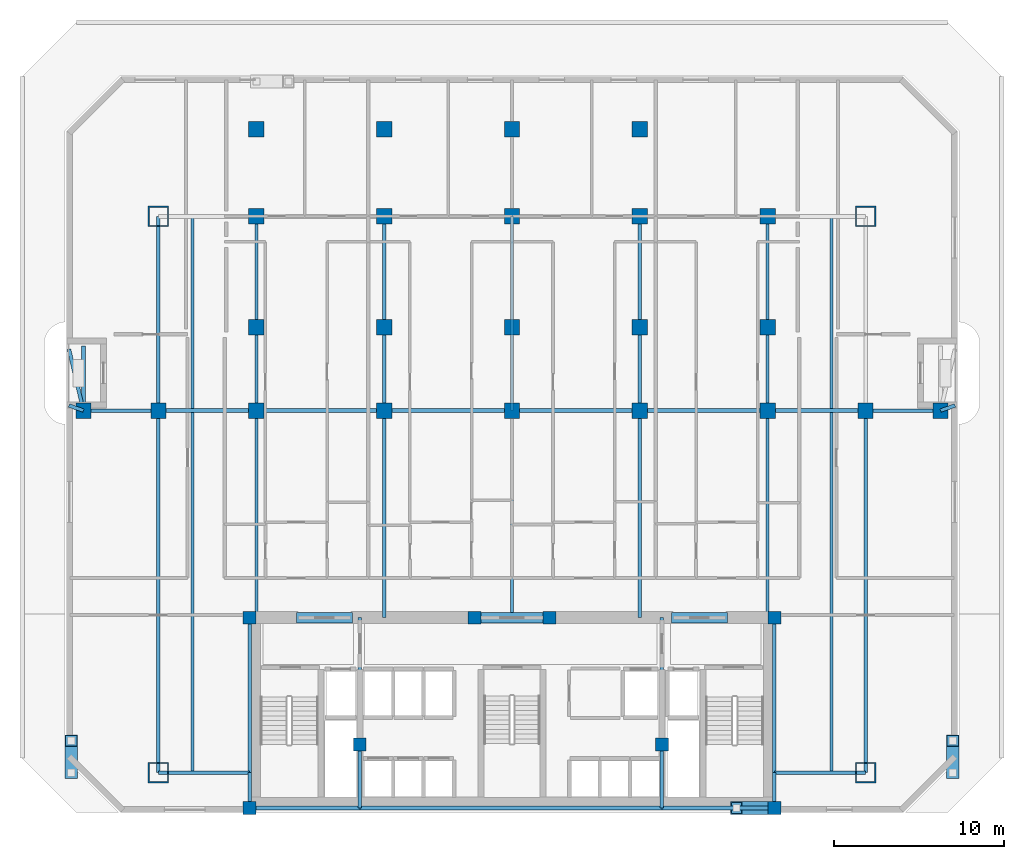
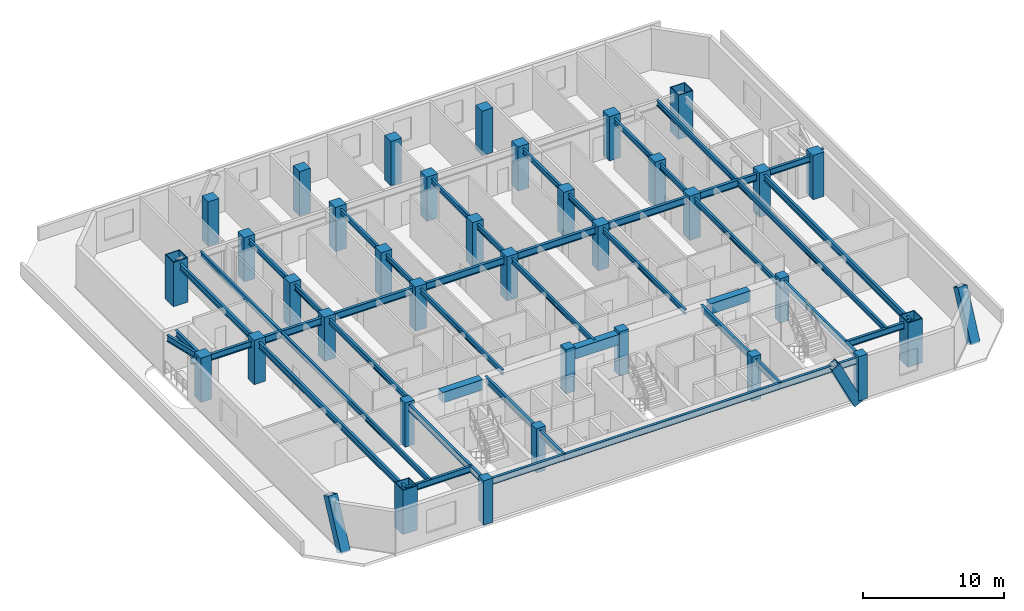
# One storey, part 1 of 10: 45 beams, 35 columns, 3 members.
"""IFC4 building model written with IfcOpenShell, lengths in metres."""

from ifc_helpers import new_model, si_unit, direction, frame, origin, origin_2d, place, context, subcontext, project, spatial, rectangle, hollow_rectangle, i_section, extrude, material, material_profile, profile_set, type_object, element, save


model = new_model("IFC4")

# Units and contexts
model_context = context("Model", 3, precision=1e-05, world=origin(), true_north=direction((0.0, 1.0)))
body_context = subcontext(model_context, "Body", "Model", "MODEL_VIEW")
ifc_project = project(units=[si_unit("LENGTHUNIT", "METRE"), si_unit("AREAUNIT", "SQUARE_METRE"), si_unit("VOLUMEUNIT", "CUBIC_METRE"), si_unit("PLANEANGLEUNIT", "RADIAN"), si_unit("MASSUNIT", "GRAM", prefix="KILO")], contexts=[model_context])

# Site, building, storey
site_placement = place(None, origin())
site = spatial("IfcSite", under=ifc_project, at=site_placement, CompositionType="ELEMENT")
building_placement = place(site_placement, origin())
building = spatial("IfcBuilding", under=site, at=building_placement, Name="Ventersveld Concourse Tower", CompositionType="ELEMENT")
storey_placement = place(building_placement, frame((0.0, 0.0, 92.60009765625)))
storey = spatial("IfcBuildingStorey", under=building, at=storey_placement, Name="L22", CompositionType="ELEMENT", Elevation=92.60009765625)

# Columns
ifc_material_1 = material(Name="Concrete C50/60", Category="concrete")
ifc_material_profile_1 = material_profile(ifc_material_1, rectangle(XDim=0.75, YDim=0.75, at=origin_2d()), Name="RC 750x750")
ifc_profile_set_1 = profile_set([ifc_material_profile_1], Name="Concrete C50/60")
column_type_1 = type_object("IfcColumnType", Name="COL-RC750", PredefinedType="COLUMN", material=ifc_profile_set_1)
for number, where, z_axis, x_axis, name in (
    (1, (13.35009765625, 0.280029296875, 0.0), (0.0, 0.0, 1.0), (1.0, 0.0, 0.0), "L22 Core Spine Column CC-SW"),
    (2, (44.14990234375, 0.280029296875, 0.0), (0.0, 0.0, 1.0), (1.0, 0.0, 0.0), "L22 Core Spine Column CC-SE"),
    (3, (13.35009765625, 11.449951171875, 0.0), (0.0, 0.0, 1.0), (1.0, 0.0, 0.0), "L22 Core Spine Column CC-NW"),
    (4, (44.14990234375, 11.449951171875, 0.0), (0.0, 0.0, 1.0), (1.0, 0.0, 0.0), "L22 Core Spine Column CC-NE"),
    (5, (19.820068359375, 4.0, 0.0), (0.0, 0.0, 1.0), (1.0, 0.0, 0.0), "L22 Core Spine Column CM-1"),
    (6, (37.550048828125, 4.0, 0.0), (0.0, 0.0, 1.0), (1.0, 0.0, 0.0), "L22 Core Spine Column CM-2"),
    (7, (26.550048828125, 11.449951171875, 0.0), (0.0, 0.0, 1.0), (1.0, 0.0, 0.0), "L22 Core Spine Column CM-3"),
    (8, (30.949951171875, 11.449951171875, 0.0), (0.0, 0.0, 1.0), (1.0, 0.0, 0.0), "L22 Core Spine Column CM-4"),
):
    element("IfcColumn", number, at=place(storey_placement, frame(where, z_axis=z_axis, x_axis=x_axis)), inside=storey, type_object=column_type_1, Name=name, PredefinedType="COLUMN", context=body_context, shape_type="SweptSolid", body=[
        extrude(rectangle(XDim=0.75, YDim=0.75, at=origin_2d()), origin(), (0.0, 0.0, 1.0), 3.849853515625),
    ])
ifc_material_2 = material(Name="Concrete C60/75", Category="concrete")
ifc_material_profile_2 = material_profile(ifc_material_2, rectangle(XDim=0.89990234375, YDim=0.89990234375, at=origin_2d()), Name="RC 900x900")
ifc_profile_set_2 = profile_set([ifc_material_profile_2], Name="Concrete C60/75")
column_type_2 = type_object("IfcColumnType", Name="COL-RC900", PredefinedType="COLUMN", material=ifc_profile_set_2)
for number, where, z_axis, x_axis, name in (
    (9, (3.60009765625, 23.60009765625, 0.0), (0.0, 0.0, 1.0), (1.0, 0.0, 0.0), "L22 Interior Gravity Column X=3.60 Y=23.60"),
    (10, (8.0, 23.60009765625, 0.0), (0.0, 0.0, 1.0), (1.0, 0.0, 0.0), "L22 Interior Gravity Column X=8.00 Y=23.60"),
    (11, (13.75, 23.60009765625, 0.0), (0.0, 0.0, 1.0), (1.0, 0.0, 0.0), "L22 Interior Gravity Column X=13.75 Y=23.60"),
    (12, (21.25, 23.60009765625, 0.0), (0.0, 0.0, 1.0), (1.0, 0.0, 0.0), "L22 Interior Gravity Column X=21.25 Y=23.60"),
    (13, (28.75, 23.60009765625, 0.0), (0.0, 0.0, 1.0), (1.0, 0.0, 0.0), "L22 Interior Gravity Column X=28.75 Y=23.60"),
    (14, (36.25, 23.60009765625, 0.0), (0.0, 0.0, 1.0), (1.0, 0.0, 0.0), "L22 Interior Gravity Column X=36.25 Y=23.60"),
    (15, (43.75, 23.60009765625, 0.0), (0.0, 0.0, 1.0), (1.0, 0.0, 0.0), "L22 Interior Gravity Column X=43.75 Y=23.60"),
    (16, (49.5, 23.60009765625, 0.0), (0.0, 0.0, 1.0), (1.0, 0.0, 0.0), "L22 Interior Gravity Column X=49.50 Y=23.60"),
    (17, (53.89990234375, 23.60009765625, 0.0), (0.0, 0.0, 1.0), (1.0, 0.0, 0.0), "L22 Interior Gravity Column X=53.90 Y=23.60"),
    (18, (13.75, 28.5, 0.0), (0.0, 0.0, 1.0), (1.0, 0.0, 0.0), "L22 Upper-North Gravity Column X=13.75 Y=28.50"),
    (19, (21.25, 28.5, 0.0), (0.0, 0.0, 1.0), (1.0, 0.0, 0.0), "L22 Upper-North Gravity Column X=21.25 Y=28.50"),
    (20, (28.75, 28.5, 0.0), (0.0, 0.0, 1.0), (1.0, 0.0, 0.0), "L22 Upper-North Gravity Column X=28.75 Y=28.50"),
    (21, (36.25, 28.5, 0.0), (0.0, 0.0, 1.0), (1.0, 0.0, 0.0), "L22 Upper-North Gravity Column X=36.25 Y=28.50"),
    (22, (43.75, 28.5, 0.0), (0.0, 0.0, 1.0), (1.0, 0.0, 0.0), "L22 Upper-North Gravity Column X=43.75 Y=28.50"),
    (23, (13.75, 40.1201171875, 0.0), (0.0, 0.0, 1.0), (1.0, 0.0, 0.0), "L22 North Brace Node Column X=13.75 Y=40.12"),
    (24, (21.25, 40.1201171875, 0.0), (0.0, 0.0, 1.0), (1.0, 0.0, 0.0), "L22 North Brace Node Column X=21.25 Y=40.12"),
    (25, (28.75, 40.1201171875, 0.0), (0.0, 0.0, 1.0), (1.0, 0.0, 0.0), "L22 North Brace Node Column X=28.75 Y=40.12"),
    (26, (36.25, 40.1201171875, 0.0), (0.0, 0.0, 1.0), (1.0, 0.0, 0.0), "L22 North Brace Node Column X=36.25 Y=40.12"),
    (27, (13.75, 35.0, 0.0), (0.0, 0.0, 1.0), (1.0, 0.0, 0.0), "L22 Mid-North Column X=13.75 Y=35.00"),
    (28, (21.25, 35.0, 0.0), (0.0, 0.0, 1.0), (1.0, 0.0, 0.0), "L22 Mid-North Column X=21.25 Y=35.00"),
    (29, (28.75, 35.0, 0.0), (0.0, 0.0, 1.0), (1.0, 0.0, 0.0), "L22 Mid-North Column X=28.75 Y=35.00"),
    (30, (36.25, 35.0, 0.0), (0.0, 0.0, 1.0), (1.0, 0.0, 0.0), "L22 Mid-North Column X=36.25 Y=35.00"),
    (31, (43.75, 35.0, 0.0), (0.0, 0.0, 1.0), (1.0, 0.0, 0.0), "L22 Mid-North Column X=43.75 Y=35.00"),
):
    element("IfcColumn", number, at=place(storey_placement, frame(where, z_axis=z_axis, x_axis=x_axis)), inside=storey, type_object=column_type_2, Name=name, PredefinedType="COLUMN", context=body_context, shape_type="SweptSolid", body=[
        extrude(rectangle(XDim=0.89990234375, YDim=0.89990234375, at=origin_2d()), origin(), (0.0, 0.0, 1.0), 3.849853515625),
    ])
ifc_material_3 = material(Name="Structural steel S460ML", Category="steel")
ifc_material_profile_3 = material_profile(ifc_material_3, hollow_rectangle(XDim=1.199951171875, YDim=1.199951171875, WallThickness=0.070068359375, at=origin_2d()), Name="BOX 1200x1200x70")
ifc_profile_set_3 = profile_set([ifc_material_profile_3], Name="Structural steel S460ML")
column_type_3 = type_object("IfcColumnType", Name="MC-1200", PredefinedType="USERDEFINED", material=ifc_profile_set_3)
for number, where, z_axis, x_axis, name in (
    (32, (8.0, 2.35009765625, 0.0), (0.0, 0.0, 1.0), (1.0, 0.0, 0.0), "L22 Corner Mega-Column MC-SW"),
    (33, (49.5, 2.35009765625, 0.0), (0.0, 0.0, 1.0), (1.0, 0.0, 0.0), "L22 Corner Mega-Column MC-SE"),
    (34, (49.5, 35.0, 0.0), (0.0, 0.0, 1.0), (1.0, 0.0, 0.0), "L22 Corner Mega-Column MC-NE"),
    (35, (8.0, 35.0, 0.0), (0.0, 0.0, 1.0), (1.0, 0.0, 0.0), "L22 Corner Mega-Column MC-NW"),
):
    element("IfcColumn", number, at=place(storey_placement, frame(where, z_axis=z_axis, x_axis=x_axis)), inside=storey, type_object=column_type_3, Name=name, ObjectType="MEGA_COLUMN", PredefinedType="USERDEFINED", context=body_context, shape_type="SweptSolid", body=[
        extrude(hollow_rectangle(XDim=1.199951171875, YDim=1.199951171875, WallThickness=0.070068359375, at=origin_2d()), origin(), (0.0, 0.0, 1.0), 3.849853515625),
    ])

# Beams
ifc_material_4 = material(Name="Structural steel S355J2", Category="steel")
ifc_material_profile_4 = material_profile(ifc_material_4, i_section(OverallWidth=0.18994140625, OverallDepth=0.453369140625, WebThickness=0.008544921875, FlangeThickness=0.0126953125, FilletRadius=0.01025390625, at=origin_2d()), Name="UB 457x191x67")
ifc_profile_set_4 = profile_set([ifc_material_profile_4], Name="Structural steel S355J2")
beam_type_1 = type_object("IfcBeamType", Name="BM-UB457", PredefinedType="BEAM", material=ifc_profile_set_4)
beam_1_placement = place(storey_placement, frame((10.0, 2.35009765625, 3.373291015625), z_axis=(0.0, 1.0, 0.0), x_axis=(-1.0, 0.0, 0.0)))
element("IfcBeam", 36, at=beam_1_placement, inside=storey, type_object=beam_type_1, Name="L22 N-S Composite Floor Beam South X=10.00", PredefinedType="BEAM", context=body_context, shape_type="SweptSolid", body=[
    extrude(i_section(OverallWidth=0.18994140625, OverallDepth=0.453369140625, WebThickness=0.008544921875, FlangeThickness=0.0126953125, FilletRadius=0.01025390625, at=origin_2d()), origin(), (0.0, 0.0, 1.0), 21.15478515625),
])
beam_2_placement = place(storey_placement, frame((10.0, 23.695068359375, 3.373291015625), z_axis=(0.0, 1.0, 0.0), x_axis=(-1.0, 0.0, 0.0)))
element("IfcBeam", 37, at=beam_2_placement, inside=storey, type_object=beam_type_1, Name="L22 N-S Composite Floor Beam Mid X=10.00", PredefinedType="BEAM", context=body_context, shape_type="SweptSolid", body=[
    extrude(i_section(OverallWidth=0.18994140625, OverallDepth=0.453369140625, WebThickness=0.008544921875, FlangeThickness=0.0126953125, FilletRadius=0.01025390625, at=origin_2d()), origin(), (0.0, 0.0, 1.0), 11.304931640625),
])
beam_3_placement = place(storey_placement, frame((13.75, 11.449951171875, 3.373291015625), z_axis=(0.0, 1.0, 0.0), x_axis=(-1.0, 0.0, 0.0)))
element("IfcBeam", 38, at=beam_3_placement, inside=storey, type_object=beam_type_1, Name="L22 N-S Composite Floor Beam South X=13.75", PredefinedType="BEAM", context=body_context, shape_type="SweptSolid", body=[
    extrude(i_section(OverallWidth=0.18994140625, OverallDepth=0.453369140625, WebThickness=0.008544921875, FlangeThickness=0.0126953125, FilletRadius=0.01025390625, at=origin_2d()), origin(), (0.0, 0.0, 1.0), 12.150146484375),
])
beam_4_placement = place(storey_placement, frame((13.75, 23.60009765625, 3.373291015625), z_axis=(0.0, 1.0, 0.0), x_axis=(-1.0, 0.0, 0.0)))
element("IfcBeam", 39, at=beam_4_placement, inside=storey, type_object=beam_type_1, Name="L22 N-S Composite Floor Beam Mid X=13.75", PredefinedType="BEAM", context=body_context, shape_type="SweptSolid", body=[
    extrude(i_section(OverallWidth=0.18994140625, OverallDepth=0.453369140625, WebThickness=0.008544921875, FlangeThickness=0.0126953125, FilletRadius=0.01025390625, at=origin_2d()), origin(), (0.0, 0.0, 1.0), 11.39990234375),
])
beam_5_placement = place(storey_placement, frame((21.25, 11.449951171875, 3.373291015625), z_axis=(0.0, 1.0, 0.0), x_axis=(-1.0, 0.0, 0.0)))
element("IfcBeam", 40, at=beam_5_placement, inside=storey, type_object=beam_type_1, Name="L22 N-S Composite Floor Beam South X=21.25", PredefinedType="BEAM", context=body_context, shape_type="SweptSolid", body=[
    extrude(i_section(OverallWidth=0.18994140625, OverallDepth=0.453369140625, WebThickness=0.008544921875, FlangeThickness=0.0126953125, FilletRadius=0.01025390625, at=origin_2d()), origin(), (0.0, 0.0, 1.0), 12.150146484375),
])
beam_6_placement = place(storey_placement, frame((21.25, 23.60009765625, 3.373291015625), z_axis=(0.0, 1.0, 0.0), x_axis=(-1.0, 0.0, 0.0)))
element("IfcBeam", 41, at=beam_6_placement, inside=storey, type_object=beam_type_1, Name="L22 N-S Composite Floor Beam Mid X=21.25", PredefinedType="BEAM", context=body_context, shape_type="SweptSolid", body=[
    extrude(i_section(OverallWidth=0.18994140625, OverallDepth=0.453369140625, WebThickness=0.008544921875, FlangeThickness=0.0126953125, FilletRadius=0.01025390625, at=origin_2d()), origin(), (0.0, 0.0, 1.0), 11.39990234375),
])
beam_7_placement = place(storey_placement, frame((28.75, 11.449951171875, 3.373291015625), z_axis=(0.0, 1.0, 0.0), x_axis=(-1.0, 0.0, 0.0)))
element("IfcBeam", 42, at=beam_7_placement, inside=storey, type_object=beam_type_1, Name="L22 N-S Composite Floor Beam South X=28.75", PredefinedType="BEAM", context=body_context, shape_type="SweptSolid", body=[
    extrude(i_section(OverallWidth=0.18994140625, OverallDepth=0.453369140625, WebThickness=0.008544921875, FlangeThickness=0.0126953125, FilletRadius=0.01025390625, at=origin_2d()), origin(), (0.0, 0.0, 1.0), 12.150146484375),
])
beam_8_placement = place(storey_placement, frame((28.75, 23.60009765625, 3.373291015625), z_axis=(0.0, 1.0, 0.0), x_axis=(-1.0, 0.0, 0.0)))
element("IfcBeam", 43, at=beam_8_placement, inside=storey, type_object=beam_type_1, Name="L22 N-S Composite Floor Beam Mid X=28.75", PredefinedType="BEAM", context=body_context, shape_type="SweptSolid", body=[
    extrude(i_section(OverallWidth=0.18994140625, OverallDepth=0.453369140625, WebThickness=0.008544921875, FlangeThickness=0.0126953125, FilletRadius=0.01025390625, at=origin_2d()), origin(), (0.0, 0.0, 1.0), 11.39990234375),
])
beam_9_placement = place(storey_placement, frame((36.25, 11.449951171875, 3.373291015625), z_axis=(0.0, 1.0, 0.0), x_axis=(-1.0, 0.0, 0.0)))
element("IfcBeam", 44, at=beam_9_placement, inside=storey, type_object=beam_type_1, Name="L22 N-S Composite Floor Beam South X=36.25", PredefinedType="BEAM", context=body_context, shape_type="SweptSolid", body=[
    extrude(i_section(OverallWidth=0.18994140625, OverallDepth=0.453369140625, WebThickness=0.008544921875, FlangeThickness=0.0126953125, FilletRadius=0.01025390625, at=origin_2d()), origin(), (0.0, 0.0, 1.0), 12.150146484375),
])
beam_10_placement = place(storey_placement, frame((36.25, 23.60009765625, 3.373291015625), z_axis=(0.0, 1.0, 0.0), x_axis=(-1.0, 0.0, 0.0)))
element("IfcBeam", 45, at=beam_10_placement, inside=storey, type_object=beam_type_1, Name="L22 N-S Composite Floor Beam Mid X=36.25", PredefinedType="BEAM", context=body_context, shape_type="SweptSolid", body=[
    extrude(i_section(OverallWidth=0.18994140625, OverallDepth=0.453369140625, WebThickness=0.008544921875, FlangeThickness=0.0126953125, FilletRadius=0.01025390625, at=origin_2d()), origin(), (0.0, 0.0, 1.0), 11.39990234375),
])
beam_11_placement = place(storey_placement, frame((43.75, 11.449951171875, 3.373291015625), z_axis=(0.0, 1.0, 0.0), x_axis=(-1.0, 0.0, 0.0)))
element("IfcBeam", 46, at=beam_11_placement, inside=storey, type_object=beam_type_1, Name="L22 N-S Composite Floor Beam South X=43.75", PredefinedType="BEAM", context=body_context, shape_type="SweptSolid", body=[
    extrude(i_section(OverallWidth=0.18994140625, OverallDepth=0.453369140625, WebThickness=0.008544921875, FlangeThickness=0.0126953125, FilletRadius=0.01025390625, at=origin_2d()), origin(), (0.0, 0.0, 1.0), 12.150146484375),
])
beam_12_placement = place(storey_placement, frame((43.75, 23.60009765625, 3.373291015625), z_axis=(0.0, 1.0, 0.0), x_axis=(-1.0, 0.0, 0.0)))
element("IfcBeam", 47, at=beam_12_placement, inside=storey, type_object=beam_type_1, Name="L22 N-S Composite Floor Beam Mid X=43.75", PredefinedType="BEAM", context=body_context, shape_type="SweptSolid", body=[
    extrude(i_section(OverallWidth=0.18994140625, OverallDepth=0.453369140625, WebThickness=0.008544921875, FlangeThickness=0.0126953125, FilletRadius=0.01025390625, at=origin_2d()), origin(), (0.0, 0.0, 1.0), 11.39990234375),
])
beam_13_placement = place(storey_placement, frame((47.5, 2.35009765625, 3.373291015625), z_axis=(0.0, 1.0, 0.0), x_axis=(-1.0, 0.0, 0.0)))
element("IfcBeam", 48, at=beam_13_placement, inside=storey, type_object=beam_type_1, Name="L22 N-S Composite Floor Beam South X=47.50", PredefinedType="BEAM", context=body_context, shape_type="SweptSolid", body=[
    extrude(i_section(OverallWidth=0.18994140625, OverallDepth=0.453369140625, WebThickness=0.008544921875, FlangeThickness=0.0126953125, FilletRadius=0.01025390625, at=origin_2d()), origin(), (0.0, 0.0, 1.0), 21.15478515625),
])
beam_14_placement = place(storey_placement, frame((47.5, 23.695068359375, 3.373291015625), z_axis=(0.0, 1.0, 0.0), x_axis=(-1.0, 0.0, 0.0)))
element("IfcBeam", 49, at=beam_14_placement, inside=storey, type_object=beam_type_1, Name="L22 N-S Composite Floor Beam Mid X=47.50", PredefinedType="BEAM", context=body_context, shape_type="SweptSolid", body=[
    extrude(i_section(OverallWidth=0.18994140625, OverallDepth=0.453369140625, WebThickness=0.008544921875, FlangeThickness=0.0126953125, FilletRadius=0.01025390625, at=origin_2d()), origin(), (0.0, 0.0, 1.0), 11.304931640625),
])
ifc_material_profile_5 = material_profile(ifc_material_2, rectangle(XDim=0.60009765625, YDim=0.89990234375, at=origin_2d()), Name="RC 600x900")
ifc_profile_set_5 = profile_set([ifc_material_profile_5], Name="Concrete C60/75")
beam_type_2 = type_object("IfcBeamType", Name="CB-RC600x900L", PredefinedType="LINTEL", material=ifc_profile_set_5)
beam_15_placement = place(storey_placement, frame((16.10009765625, 11.449951171875, 3.14990234375), z_axis=(1.0, 0.0, 0.0), x_axis=(0.0, 1.0, 0.0)))
element("IfcBeam", 50, at=beam_15_placement, inside=storey, type_object=beam_type_2, Name="L22 Core Coupling Lintel Beam 1", PredefinedType="LINTEL", context=body_context, shape_type="SweptSolid", body=[
    extrude(rectangle(XDim=0.60009765625, YDim=0.89990234375, at=origin_2d()), origin(), (0.0, 0.0, 1.0), 3.2998046875),
])
beam_16_placement = place(storey_placement, frame((26.5, 11.449951171875, 3.14990234375), z_axis=(1.0, 0.0, 0.0), x_axis=(0.0, 1.0, 0.0)))
element("IfcBeam", 51, at=beam_16_placement, inside=storey, type_object=beam_type_2, Name="L22 Core Coupling Lintel Beam 2", PredefinedType="LINTEL", context=body_context, shape_type="SweptSolid", body=[
    extrude(rectangle(XDim=0.60009765625, YDim=0.89990234375, at=origin_2d()), origin(), (0.0, 0.0, 1.0), 4.5),
])
beam_17_placement = place(storey_placement, frame((38.10009765625, 11.449951171875, 3.14990234375), z_axis=(1.0, 0.0, 0.0), x_axis=(0.0, 1.0, 0.0)))
element("IfcBeam", 52, at=beam_17_placement, inside=storey, type_object=beam_type_2, Name="L22 Core Coupling Lintel Beam 3", PredefinedType="LINTEL", context=body_context, shape_type="SweptSolid", body=[
    extrude(rectangle(XDim=0.60009765625, YDim=0.89990234375, at=origin_2d()), origin(), (0.0, 0.0, 1.0), 3.2998046875),
])
ifc_material_profile_6 = material_profile(ifc_material_4, i_section(OverallWidth=0.2119140625, OverallDepth=0.54443359375, WebThickness=0.0126953125, FlangeThickness=0.021240234375, FilletRadius=0.0126953125, at=origin_2d()), Name="UB 533x210x122")
ifc_profile_set_6 = profile_set([ifc_material_profile_6], Name="Structural steel S355J2")
beam_type_3 = type_object("IfcBeamType", Name="GRD-UB533H", PredefinedType="T_BEAM", material=ifc_profile_set_6)
beam_18_placement = place(storey_placement, frame((13.35009765625, 0.280029296875, 3.32763671875), z_axis=(0.0, 1.0, 0.0), x_axis=(-1.0, 0.0, 0.0)))
element("IfcBeam", 53, at=beam_18_placement, inside=storey, type_object=beam_type_3, Name="L22 Core West Tie Beam S", PredefinedType="T_BEAM", context=body_context, shape_type="SweptSolid", body=[
    extrude(i_section(OverallWidth=0.2119140625, OverallDepth=0.54443359375, WebThickness=0.0126953125, FlangeThickness=0.021240234375, FilletRadius=0.0126953125, at=origin_2d()), origin(), (0.0, 0.0, 1.0), 2.070068359375),
])
beam_19_placement = place(storey_placement, frame((13.35009765625, 2.35009765625, 3.32763671875), z_axis=(0.0, 1.0, 0.0), x_axis=(-1.0, 0.0, 0.0)))
element("IfcBeam", 54, at=beam_19_placement, inside=storey, type_object=beam_type_3, Name="L22 Core West Tie Beam N", PredefinedType="T_BEAM", context=body_context, shape_type="SweptSolid", body=[
    extrude(i_section(OverallWidth=0.2119140625, OverallDepth=0.54443359375, WebThickness=0.0126953125, FlangeThickness=0.021240234375, FilletRadius=0.0126953125, at=origin_2d()), origin(), (0.0, 0.0, 1.0), 9.099853515625),
])
beam_20_placement = place(storey_placement, frame((44.14990234375, 0.280029296875, 3.32763671875), z_axis=(0.0, 1.0, 0.0), x_axis=(-1.0, 0.0, 0.0)))
element("IfcBeam", 55, at=beam_20_placement, inside=storey, type_object=beam_type_3, Name="L22 Core East Tie Beam S", PredefinedType="T_BEAM", context=body_context, shape_type="SweptSolid", body=[
    extrude(i_section(OverallWidth=0.2119140625, OverallDepth=0.54443359375, WebThickness=0.0126953125, FlangeThickness=0.021240234375, FilletRadius=0.0126953125, at=origin_2d()), origin(), (0.0, 0.0, 1.0), 2.070068359375),
])
beam_21_placement = place(storey_placement, frame((44.14990234375, 2.35009765625, 3.32763671875), z_axis=(0.0, 1.0, 0.0), x_axis=(-1.0, 0.0, 0.0)))
element("IfcBeam", 56, at=beam_21_placement, inside=storey, type_object=beam_type_3, Name="L22 Core East Tie Beam N", PredefinedType="T_BEAM", context=body_context, shape_type="SweptSolid", body=[
    extrude(i_section(OverallWidth=0.2119140625, OverallDepth=0.54443359375, WebThickness=0.0126953125, FlangeThickness=0.021240234375, FilletRadius=0.0126953125, at=origin_2d()), origin(), (0.0, 0.0, 1.0), 9.099853515625),
])
beam_22_placement = place(storey_placement, frame((13.35009765625, 0.280029296875, 3.32763671875), z_axis=(1.0, 0.0, 0.0), x_axis=(0.0, 1.0, 0.0)))
element("IfcBeam", 57, at=beam_22_placement, inside=storey, type_object=beam_type_3, Name="L22 Core South Tie Beam W", PredefinedType="T_BEAM", context=body_context, shape_type="SweptSolid", body=[
    extrude(i_section(OverallWidth=0.2119140625, OverallDepth=0.54443359375, WebThickness=0.0126953125, FlangeThickness=0.021240234375, FilletRadius=0.0126953125, at=origin_2d()), origin(), (0.0, 0.0, 1.0), 6.469970703125),
])
beam_23_placement = place(storey_placement, frame((19.820068359375, 0.280029296875, 3.32763671875), z_axis=(1.0, 0.0, 0.0), x_axis=(0.0, 1.0, 0.0)))
element("IfcBeam", 58, at=beam_23_placement, inside=storey, type_object=beam_type_3, Name="L22 Core South Tie Beam C", PredefinedType="T_BEAM", context=body_context, shape_type="SweptSolid", body=[
    extrude(i_section(OverallWidth=0.2119140625, OverallDepth=0.54443359375, WebThickness=0.0126953125, FlangeThickness=0.021240234375, FilletRadius=0.0126953125, at=origin_2d()), origin(), (0.0, 0.0, 1.0), 17.72998046875),
])
beam_24_placement = place(storey_placement, frame((37.550048828125, 0.280029296875, 3.32763671875), z_axis=(1.0, 0.0, 0.0), x_axis=(0.0, 1.0, 0.0)))
element("IfcBeam", 59, at=beam_24_placement, inside=storey, type_object=beam_type_3, Name="L22 Core South Tie Beam E", PredefinedType="T_BEAM", context=body_context, shape_type="SweptSolid", body=[
    extrude(i_section(OverallWidth=0.2119140625, OverallDepth=0.54443359375, WebThickness=0.0126953125, FlangeThickness=0.021240234375, FilletRadius=0.0126953125, at=origin_2d()), origin(), (0.0, 0.0, 1.0), 6.599853515625),
])
beam_25_placement = place(storey_placement, frame((19.820068359375, 0.280029296875, 3.32763671875), z_axis=(0.0, 1.0, 0.0), x_axis=(-1.0, 0.0, 0.0)))
element("IfcBeam", 60, at=beam_25_placement, inside=storey, type_object=beam_type_3, Name="L22 Core Spine N-S Tie Beam W1", PredefinedType="T_BEAM", context=body_context, shape_type="SweptSolid", body=[
    extrude(i_section(OverallWidth=0.2119140625, OverallDepth=0.54443359375, WebThickness=0.0126953125, FlangeThickness=0.021240234375, FilletRadius=0.0126953125, at=origin_2d()), origin(), (0.0, 0.0, 1.0), 3.719970703125),
])
beam_26_placement = place(storey_placement, frame((19.820068359375, 4.0, 3.32763671875), z_axis=(0.0, 1.0, 0.0), x_axis=(-1.0, 0.0, 0.0)))
element("IfcBeam", 61, at=beam_26_placement, inside=storey, type_object=beam_type_3, Name="L22 Core Spine N-S Tie Beam W2", PredefinedType="T_BEAM", context=body_context, shape_type="SweptSolid", body=[
    extrude(i_section(OverallWidth=0.2119140625, OverallDepth=0.54443359375, WebThickness=0.0126953125, FlangeThickness=0.021240234375, FilletRadius=0.0126953125, at=origin_2d()), origin(), (0.0, 0.0, 1.0), 7.449951171875),
])
beam_27_placement = place(storey_placement, frame((37.550048828125, 0.280029296875, 3.32763671875), z_axis=(0.0, 1.0, 0.0), x_axis=(-1.0, 0.0, 0.0)))
element("IfcBeam", 62, at=beam_27_placement, inside=storey, type_object=beam_type_3, Name="L22 Core Spine N-S Tie Beam E1", PredefinedType="T_BEAM", context=body_context, shape_type="SweptSolid", body=[
    extrude(i_section(OverallWidth=0.2119140625, OverallDepth=0.54443359375, WebThickness=0.0126953125, FlangeThickness=0.021240234375, FilletRadius=0.0126953125, at=origin_2d()), origin(), (0.0, 0.0, 1.0), 3.719970703125),
])
beam_28_placement = place(storey_placement, frame((37.550048828125, 4.0, 3.32763671875), z_axis=(0.0, 1.0, 0.0), x_axis=(-1.0, 0.0, 0.0)))
element("IfcBeam", 63, at=beam_28_placement, inside=storey, type_object=beam_type_3, Name="L22 Core Spine N-S Tie Beam E2", PredefinedType="T_BEAM", context=body_context, shape_type="SweptSolid", body=[
    extrude(i_section(OverallWidth=0.2119140625, OverallDepth=0.54443359375, WebThickness=0.0126953125, FlangeThickness=0.021240234375, FilletRadius=0.0126953125, at=origin_2d()), origin(), (0.0, 0.0, 1.0), 7.449951171875),
])
ifc_material_profile_7 = material_profile(ifc_material_4, i_section(OverallWidth=0.230224609375, OverallDepth=0.6171875, WebThickness=0.01318359375, FlangeThickness=0.022216796875, FilletRadius=0.0126953125, at=origin_2d()), Name="UB 610x229x140")
ifc_profile_set_7 = profile_set([ifc_material_profile_7], Name="Structural steel S355J2")
beam_type_4 = type_object("IfcBeamType", Name="GRD-UB610", PredefinedType="USERDEFINED", material=ifc_profile_set_7)
beam_29_placement = place(storey_placement, frame((8.0, 23.60009765625, 3.291259765625), z_axis=(1.0, 0.0, 0.0), x_axis=(0.0, 1.0, 0.0)))
element("IfcBeam", 64, at=beam_29_placement, inside=storey, type_object=beam_type_4, Name="L22 Primary E-W Grid Girder Y=23.60 #1", ObjectType="GIRDER", PredefinedType="USERDEFINED", context=body_context, shape_type="SweptSolid", body=[
    extrude(i_section(OverallWidth=0.230224609375, OverallDepth=0.6171875, WebThickness=0.01318359375, FlangeThickness=0.022216796875, FilletRadius=0.0126953125, at=origin_2d()), origin(), (0.0, 0.0, 1.0), 5.75),
])
for number, where, z_axis, x_axis, name in (
    (65, (13.75, 23.60009765625, 3.291259765625), (1.0, 0.0, 0.0), (0.0, 1.0, 0.0), "L22 Primary E-W Grid Girder Y=23.60 #2"),
    (66, (21.25, 23.60009765625, 3.291259765625), (1.0, 0.0, 0.0), (0.0, 1.0, 0.0), "L22 Primary E-W Grid Girder Y=23.60 #3"),
    (67, (28.75, 23.60009765625, 3.291259765625), (1.0, 0.0, 0.0), (0.0, 1.0, 0.0), "L22 Primary E-W Grid Girder Y=23.60 #4"),
    (68, (36.25, 23.60009765625, 3.291259765625), (1.0, 0.0, 0.0), (0.0, 1.0, 0.0), "L22 Primary E-W Grid Girder Y=23.60 #5"),
):
    element("IfcBeam", number, at=place(storey_placement, frame(where, z_axis=z_axis, x_axis=x_axis)), inside=storey, type_object=beam_type_4, Name=name, ObjectType="GIRDER", PredefinedType="USERDEFINED", context=body_context, shape_type="SweptSolid", body=[
        extrude(i_section(OverallWidth=0.230224609375, OverallDepth=0.6171875, WebThickness=0.01318359375, FlangeThickness=0.022216796875, FilletRadius=0.0126953125, at=origin_2d()), origin(), (0.0, 0.0, 1.0), 7.5),
    ])
beam_30_placement = place(storey_placement, frame((43.75, 23.60009765625, 3.291259765625), z_axis=(1.0, 0.0, 0.0), x_axis=(0.0, 1.0, 0.0)))
element("IfcBeam", 69, at=beam_30_placement, inside=storey, type_object=beam_type_4, Name="L22 Primary E-W Grid Girder Y=23.60 #6", ObjectType="GIRDER", PredefinedType="USERDEFINED", context=body_context, shape_type="SweptSolid", body=[
    extrude(i_section(OverallWidth=0.230224609375, OverallDepth=0.6171875, WebThickness=0.01318359375, FlangeThickness=0.022216796875, FilletRadius=0.0126953125, at=origin_2d()), origin(), (0.0, 0.0, 1.0), 5.75),
])

# Members
ifc_material_5 = material(Name="Structural steel S355ML", Category="steel")
ifc_material_profile_8 = material_profile(ifc_material_5, hollow_rectangle(XDim=0.75, YDim=0.75, WallThickness=0.044921875, at=origin_2d()), Name="BOX 750x750x45")
ifc_profile_set_8 = profile_set([ifc_material_profile_8], Name="Structural steel S355ML")
member_type = type_object("IfcMemberType", Name="MB-750x750", PredefinedType="BRACE", material=ifc_profile_set_8)
for number, where, z_axis, x_axis, name in (
    (70, (43.800048828125, 0.280029296875, -0.25), (-0.437861906815, 0.0, 0.899042240699), (0.0, -1.0, 0.0), "L22 Exterior Mega-Brace S (Module M05)"),
    (71, (2.8798828125, 2.35009765625, -0.25), (0.0, 0.437861906815, 0.899042240699), (-1.0, 0.0, 0.0), "L22 Exterior Mega-Brace W (Module M05)"),
    (72, (54.6201171875, 2.35009765625, -0.25), (0.0, 0.437861906815, 0.899042240699), (-1.0, 0.0, 0.0), "L22 Exterior Mega-Brace E (Module M05)"),
):
    element("IfcMember", number, at=place(storey_placement, frame(where, z_axis=z_axis, x_axis=x_axis)), inside=storey, type_object=member_type, Name=name, PredefinedType="BRACE", context=body_context, shape_type="SweptSolid", body=[
        extrude(hollow_rectangle(XDim=0.75, YDim=0.75, WallThickness=0.044921875, at=origin_2d()), origin(), (0.0, 0.0, 1.0), 4.2822265625),
    ])

# Beams
ifc_material_profile_9 = material_profile(ifc_material_4, i_section(OverallWidth=0.2119140625, OverallDepth=0.54443359375, WebThickness=0.0126953125, FlangeThickness=0.021240234375, FilletRadius=0.0126953125, at=origin_2d()), Name="UB 533x210x122")
ifc_profile_set_9 = profile_set([ifc_material_profile_9], Name="Structural steel S355J2")
beam_type_5 = type_object("IfcBeamType", Name="SPD-UB533", PredefinedType="SPANDREL", material=ifc_profile_set_9)
for number, where, z_axis, x_axis, name in (
    (73, (8.0, 2.35009765625, 3.32763671875), (1.0, 0.0, 0.0), (0.0, 1.0, 0.0), "L22 SW Spandrel Beam"),
    (74, (44.14990234375, 2.35009765625, 3.32763671875), (1.0, 0.0, 0.0), (0.0, 1.0, 0.0), "L22 SE Spandrel Beam"),
):
    element("IfcBeam", number, at=place(storey_placement, frame(where, z_axis=z_axis, x_axis=x_axis)), inside=storey, type_object=beam_type_5, Name=name, PredefinedType="SPANDREL", context=body_context, shape_type="SweptSolid", body=[
        extrude(i_section(OverallWidth=0.2119140625, OverallDepth=0.54443359375, WebThickness=0.0126953125, FlangeThickness=0.021240234375, FilletRadius=0.0126953125, at=origin_2d()), origin(), (0.0, 0.0, 1.0), 5.35009765625),
    ])
beam_31_placement = place(storey_placement, frame((8.0, 2.35009765625, 3.32763671875), z_axis=(0.0, 1.0, 0.0), x_axis=(-1.0, 0.0, 0.0)))
element("IfcBeam", 75, at=beam_31_placement, inside=storey, type_object=beam_type_5, Name="L22 West Spandrel Beam S", PredefinedType="SPANDREL", context=body_context, shape_type="SweptSolid", body=[
    extrude(i_section(OverallWidth=0.2119140625, OverallDepth=0.54443359375, WebThickness=0.0126953125, FlangeThickness=0.021240234375, FilletRadius=0.0126953125, at=origin_2d()), origin(), (0.0, 0.0, 1.0), 21.25),
])
beam_32_placement = place(storey_placement, frame((8.0, 23.60009765625, 3.32763671875), z_axis=(0.0, 1.0, 0.0), x_axis=(-1.0, 0.0, 0.0)))
element("IfcBeam", 76, at=beam_32_placement, inside=storey, type_object=beam_type_5, Name="L22 West Spandrel Beam N", PredefinedType="SPANDREL", context=body_context, shape_type="SweptSolid", body=[
    extrude(i_section(OverallWidth=0.2119140625, OverallDepth=0.54443359375, WebThickness=0.0126953125, FlangeThickness=0.021240234375, FilletRadius=0.0126953125, at=origin_2d()), origin(), (0.0, 0.0, 1.0), 11.39990234375),
])
beam_33_placement = place(storey_placement, frame((49.5, 2.35009765625, 3.32763671875), z_axis=(0.0, 1.0, 0.0), x_axis=(-1.0, 0.0, 0.0)))
element("IfcBeam", 77, at=beam_33_placement, inside=storey, type_object=beam_type_5, Name="L22 East Spandrel Beam S", PredefinedType="SPANDREL", context=body_context, shape_type="SweptSolid", body=[
    extrude(i_section(OverallWidth=0.2119140625, OverallDepth=0.54443359375, WebThickness=0.0126953125, FlangeThickness=0.021240234375, FilletRadius=0.0126953125, at=origin_2d()), origin(), (0.0, 0.0, 1.0), 21.25),
])
beam_34_placement = place(storey_placement, frame((3.60009765625, 23.60009765625, 3.32763671875), z_axis=(0.0, 1.0, 0.0), x_axis=(-1.0, 0.0, 0.0)))
element("IfcBeam", 78, at=beam_34_placement, inside=storey, type_object=beam_type_5, Name="L22 West Valley Spine Girder", PredefinedType="SPANDREL", context=body_context, shape_type="SweptSolid", body=[
    extrude(i_section(OverallWidth=0.2119140625, OverallDepth=0.54443359375, WebThickness=0.0126953125, FlangeThickness=0.021240234375, FilletRadius=0.0126953125, at=origin_2d()), origin(), (0.0, 0.0, 1.0), 3.7998046875),
])
beam_35_placement = place(storey_placement, frame((3.60009765625, 23.60009765625, 3.32763671875), z_axis=(1.0, 0.0, 0.0), x_axis=(0.0, 1.0, 0.0)))
element("IfcBeam", 79, at=beam_35_placement, inside=storey, type_object=beam_type_5, Name="L22 West Valley Tie S", PredefinedType="SPANDREL", context=body_context, shape_type="SweptSolid", body=[
    extrude(i_section(OverallWidth=0.2119140625, OverallDepth=0.54443359375, WebThickness=0.0126953125, FlangeThickness=0.021240234375, FilletRadius=0.0126953125, at=origin_2d()), origin(), (0.0, 0.0, 1.0), 4.39990234375),
])
beam_36_placement = place(storey_placement, frame((2.75, 23.89990234375, 3.32763671875), z_axis=(0.943070308769, -0.332593434569, 0.0), x_axis=(0.332593434569, 0.943070308769, 0.0)))
element("IfcBeam", 80, at=beam_36_placement, inside=storey, type_object=beam_type_5, Name="L22 West Valley Corner Bracket 1", PredefinedType="SPANDREL", context=body_context, shape_type="SweptSolid", body=[
    extrude(i_section(OverallWidth=0.2119140625, OverallDepth=0.54443359375, WebThickness=0.0126953125, FlangeThickness=0.021240234375, FilletRadius=0.0126953125, at=origin_2d()), origin(), (0.0, 0.0, 1.0), 0.9013671875),
])
beam_37_placement = place(storey_placement, frame((2.75, 27.199951171875, 3.32763671875), z_axis=(0.229826547993, -0.973231605445, 0.0), x_axis=(0.973231605445, 0.229826547993, 0.0)))
element("IfcBeam", 81, at=beam_37_placement, inside=storey, type_object=beam_type_5, Name="L22 West Valley Corner Bracket 2", PredefinedType="SPANDREL", context=body_context, shape_type="SweptSolid", body=[
    extrude(i_section(OverallWidth=0.2119140625, OverallDepth=0.54443359375, WebThickness=0.0126953125, FlangeThickness=0.021240234375, FilletRadius=0.0126953125, at=origin_2d()), origin(), (0.0, 0.0, 1.0), 3.698974609375),
])
beam_38_placement = place(storey_placement, frame((49.5, 23.60009765625, 3.32763671875), z_axis=(1.0, 0.0, 0.0), x_axis=(0.0, 1.0, 0.0)))
element("IfcBeam", 82, at=beam_38_placement, inside=storey, type_object=beam_type_5, Name="L22 East Valley Tie S", PredefinedType="SPANDREL", context=body_context, shape_type="SweptSolid", body=[
    extrude(i_section(OverallWidth=0.2119140625, OverallDepth=0.54443359375, WebThickness=0.0126953125, FlangeThickness=0.021240234375, FilletRadius=0.0126953125, at=origin_2d()), origin(), (0.0, 0.0, 1.0), 4.39990234375),
])
beam_39_placement = place(storey_placement, frame((53.89990234375, 23.60009765625, 3.32763671875), z_axis=(0.943070308769, 0.332593434569, 0.0), x_axis=(-0.332593434569, 0.943070308769, 0.0)))
element("IfcBeam", 83, at=beam_39_placement, inside=storey, type_object=beam_type_5, Name="L22 East Valley Corner Bracket 1", PredefinedType="SPANDREL", context=body_context, shape_type="SweptSolid", body=[
    extrude(i_section(OverallWidth=0.2119140625, OverallDepth=0.54443359375, WebThickness=0.0126953125, FlangeThickness=0.021240234375, FilletRadius=0.0126953125, at=origin_2d()), origin(), (0.0, 0.0, 1.0), 0.9013671875),
])

save(model, "model.ifc")
